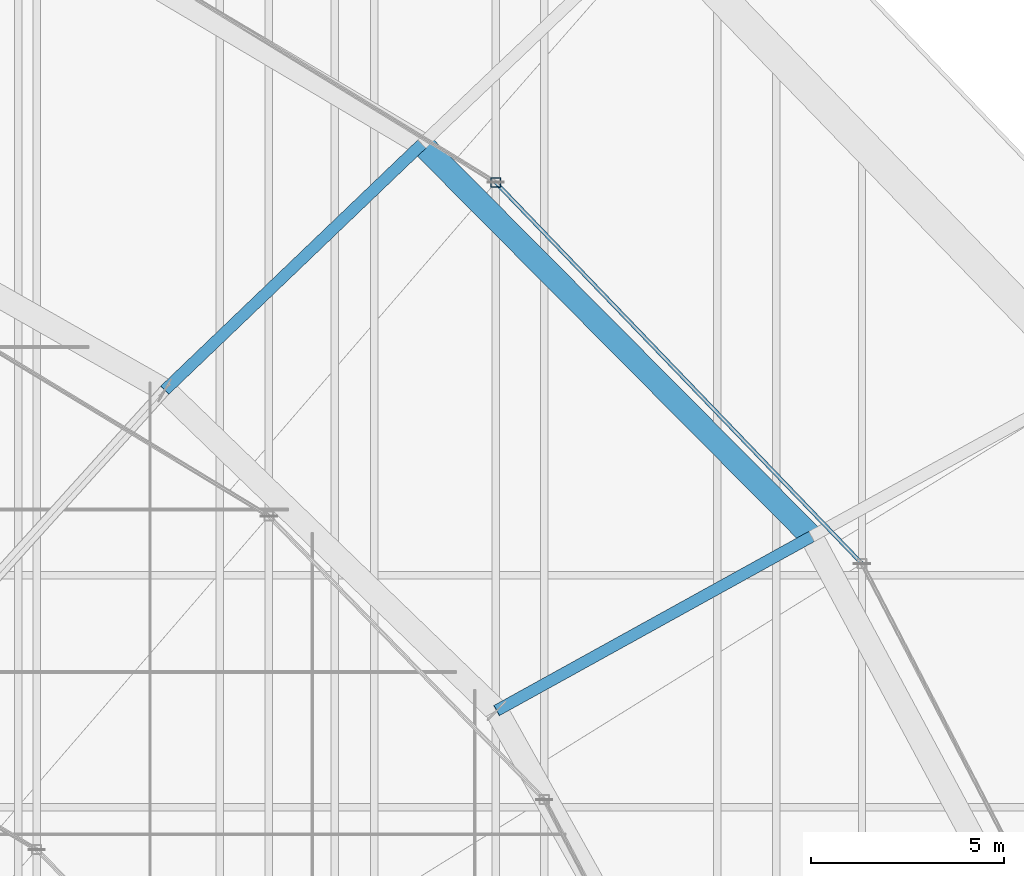
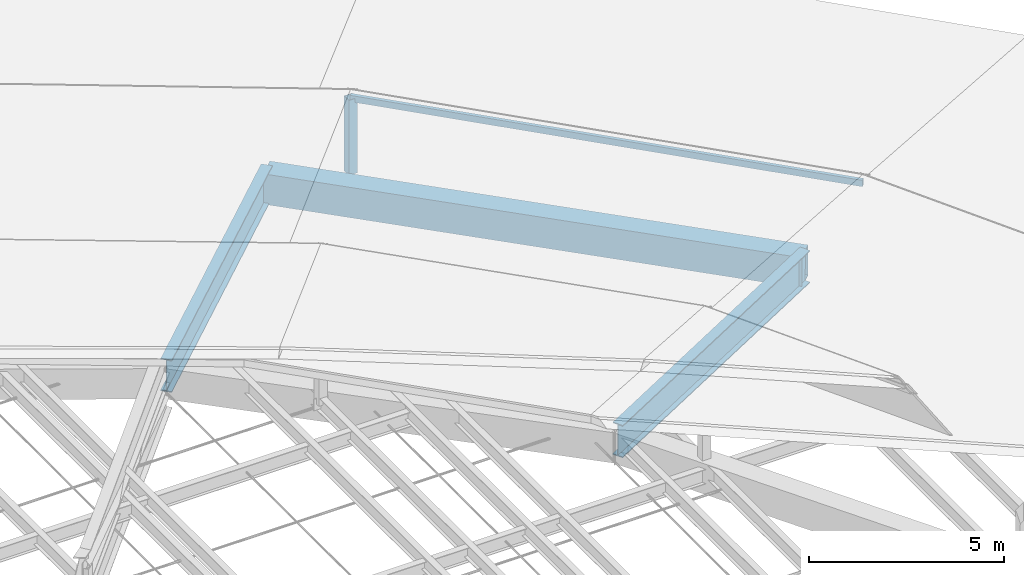
# One storey, part 122 of 184: 3 beams, 2 members.
"""IFC4 building model written with IfcOpenShell, lengths in metres."""

from ifc_helpers import new_model, si_unit, direction, frame, origin, origin_2d, place, context, subcontext, project, spatial, hollow_rectangle, i_section, extrude, material, material_profile, profile_set, type_object, element, save


model = new_model("IFC4")

# Units and contexts
model_context = context("Model", 3, precision=1e-05, world=origin(), true_north=direction((0.0, 1.0)))
body_context = subcontext(model_context, "Body", "Model", "MODEL_VIEW")
ifc_project = project(units=[si_unit("LENGTHUNIT", "METRE"), si_unit("AREAUNIT", "SQUARE_METRE"), si_unit("VOLUMEUNIT", "CUBIC_METRE"), si_unit("PLANEANGLEUNIT", "RADIAN"), si_unit("MASSUNIT", "GRAM", prefix="KILO")], contexts=[model_context])

# Site, building, storey
site_placement = place(None, origin())
site = spatial("IfcSite", under=ifc_project, at=site_placement, CompositionType="ELEMENT")
building_placement = place(site_placement, origin())
building = spatial("IfcBuilding", under=site, at=building_placement, Name="Kalgoora Escarpment Arena", CompositionType="ELEMENT")
storey_placement = place(building_placement, frame((0.0, 0.0, 27.60009765625)))
storey = spatial("IfcBuildingStorey", under=building, at=storey_placement, Name="Roof Level", CompositionType="ELEMENT", Elevation=27.60009765625)

# Beams
ifc_material_1 = material(Name="Structural steel Grade 350 (350 MPa)", Category="steel")
ifc_material_profile_1 = material_profile(ifc_material_1, hollow_rectangle(XDim=0.60009765625, YDim=0.949951171875, WallThickness=0.02490234375, at=origin_2d()))
ifc_profile_set_1 = profile_set([ifc_material_profile_1], Name="Structural steel Grade 350 (350 MPa)")
beam_type_1 = type_object("IfcBeamType", Name="BM-RING-BOX950", PredefinedType="USERDEFINED", material=ifc_profile_set_1)
beam_1_placement = place(storey_placement, frame((147.305908203125, 88.5, -1.35009765625), z_axis=(-0.704549829117, 0.709654520377, 0.0), x_axis=(-0.709654520377, -0.704549829117, 0.0)))
element("IfcBeam", 1, at=beam_1_placement, inside=storey, type_object=beam_type_1, Name="Concourse roof RING BEAM chord 03", ObjectType="GIRDER", PredefinedType="USERDEFINED", context=body_context, shape_type="SweptSolid", body=[
    extrude(hollow_rectangle(XDim=0.60009765625, YDim=0.949951171875, WallThickness=0.02490234375, at=origin_2d()), origin(), (0.0, 0.0, 1.0), 14.30029296875),
])
ifc_material_2 = material(Name="Structural steel Grade 350 (350 MPa)", Category="steel")
ifc_material_profile_2 = material_profile(ifc_material_2, i_section(OverallWidth=0.300048828125, OverallDepth=1.010009765625, WebThickness=0.01611328125, FlangeThickness=0.030029296875, at=origin_2d()))
ifc_profile_set_2 = profile_set([ifc_material_profile_2], Name="Structural steel Grade 350 (350 MPa)")
beam_type_2 = type_object("IfcBeamType", Name="BM-TRUSS-CHORD", PredefinedType="USERDEFINED", material=ifc_profile_set_2)
beam_2_placement = place(storey_placement, frame((147.305908203125, 88.5, -1.300048828125), z_axis=(-0.875134962309, -0.483759825614, 0.010734470957), x_axis=(0.483787699571, -0.875185387072, 0.0)))
element("IfcBeam", 2, at=beam_2_placement, inside=storey, type_object=beam_type_2, Name="Inner radial petal support girder R03", ObjectType="GIRDER", PredefinedType="USERDEFINED", context=body_context, shape_type="SweptSolid", body=[
    extrude(i_section(OverallWidth=0.300048828125, OverallDepth=1.010009765625, WebThickness=0.01611328125, FlangeThickness=0.030029296875, at=origin_2d()), origin(), (0.0, 0.0, 1.0), 9.30224609375),
])
beam_3_placement = place(storey_placement, frame((137.230712890625, 98.648193359375, -1.300048828125), z_axis=(-0.722271412013, -0.691524605045, 0.01085025371), x_axis=(0.691565314546, -0.722313931554, 0.0)))
element("IfcBeam", 3, at=beam_3_placement, inside=storey, type_object=beam_type_2, Name="Inner radial petal support girder R04", ObjectType="GIRDER", PredefinedType="USERDEFINED", context=body_context, shape_type="SweptSolid", body=[
    extrude(i_section(OverallWidth=0.300048828125, OverallDepth=1.010009765625, WebThickness=0.01611328125, FlangeThickness=0.030029296875, at=origin_2d()), origin(), (0.0, 0.0, 1.0), 9.202880859375),
])

# Members
ifc_material_3 = material(Name="Structural steel C450 (450 MPa)", Category="steel")
ifc_material_profile_3 = material_profile(ifc_material_3, hollow_rectangle(XDim=0.25, YDim=0.25, WallThickness=0.012451171875, at=origin_2d()))
ifc_profile_set_3 = profile_set([ifc_material_profile_3], Name="Structural steel C450 (450 MPa)")
member_type_1 = type_object("IfcMemberType", Name="MEM-PETAL-POST", PredefinedType="POST", material=ifc_profile_set_3)
member_1_placement = place(storey_placement, frame((139.1435546875, 97.658203125, -1.080078125), z_axis=(0.0, 0.0, 1.0), x_axis=(1.0, 0.0, 0.0)))
element("IfcMember", 4, at=member_1_placement, inside=storey, type_object=member_type_1, Name="Petal RP2 vertical support post S04", PredefinedType="POST", context=body_context, shape_type="SweptSolid", body=[
    extrude(hollow_rectangle(XDim=0.25, YDim=0.25, WallThickness=0.012451171875, at=origin_2d()), origin(), (0.0, 0.0, 1.0), 2.344970703125),
])
ifc_material_4 = material(Name="Structural steel C350 (350 MPa)", Category="steel")
ifc_material_profile_4 = material_profile(ifc_material_4, hollow_rectangle(XDim=0.10009765625, YDim=0.199951171875, WallThickness=0.009033203125, at=origin_2d()))
ifc_profile_set_4 = profile_set([ifc_material_profile_4], Name="Structural steel C350 (350 MPa)")
member_type_2 = type_object("IfcMemberType", Name="MEM-PURLIN-RHS", PredefinedType="PURLIN", material=ifc_profile_set_4)
member_2_placement = place(storey_placement, frame((148.614990234375, 87.800048828125, 1.244873046875), z_axis=(-0.692821359996, 0.721109258804, 0.0), x_axis=(-0.721109258804, -0.692821359996, 0.0)))
element("IfcMember", 5, at=member_2_placement, inside=storey, type_object=member_type_2, Name="Petal RP2 eave support ring purlin S03", PredefinedType="PURLIN", context=body_context, shape_type="SweptSolid", body=[
    extrude(hollow_rectangle(XDim=0.10009765625, YDim=0.199951171875, WallThickness=0.009033203125, at=origin_2d()), origin(), (0.0, 0.0, 1.0), 13.6708984375),
])

save(model, "model.ifc")
